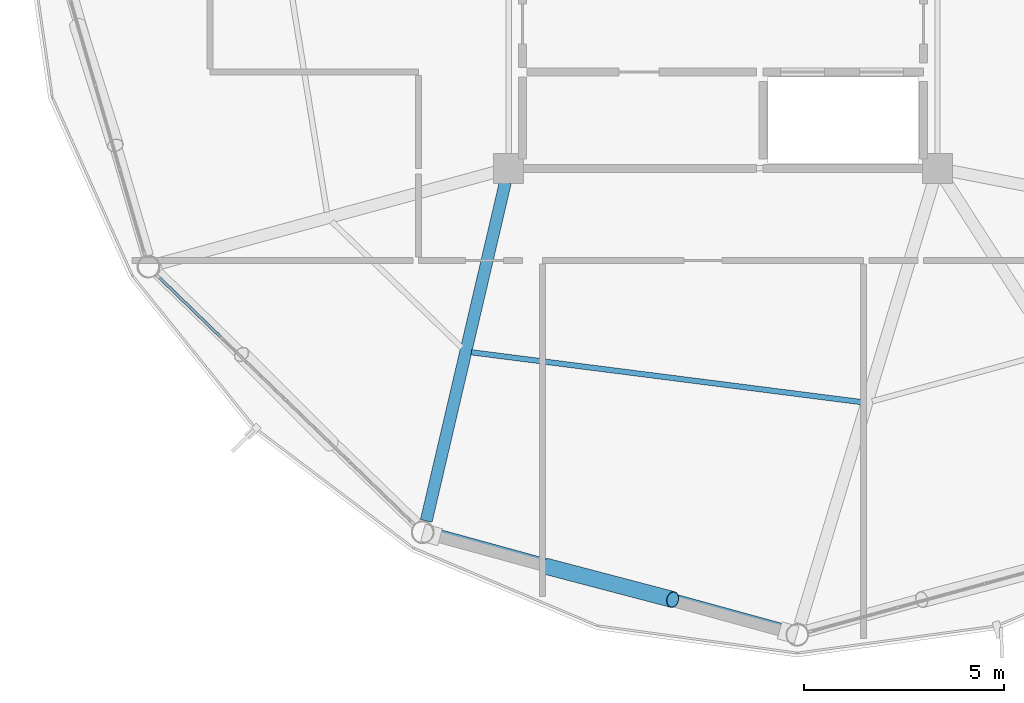
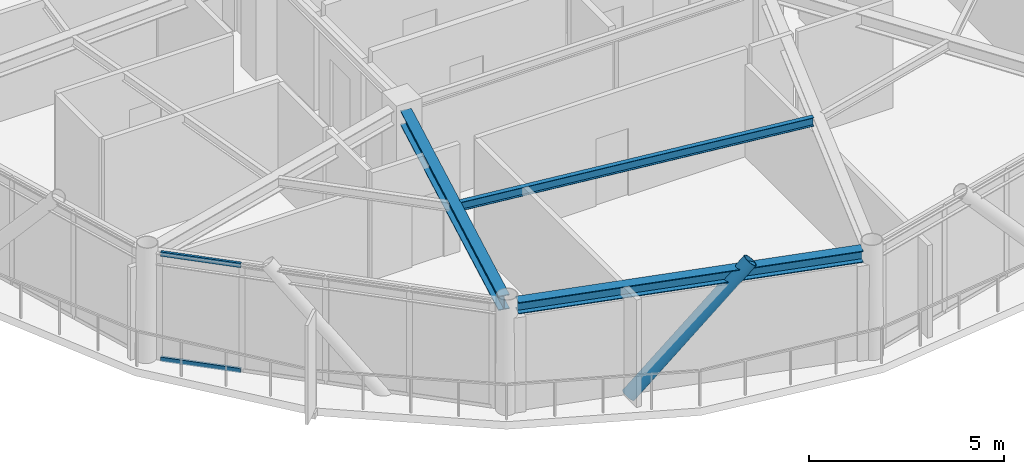
# One storey, part 3 of 27: 3 beams, 3 members, 1 element without a shape of its own.
"""IFC4 building model written with IfcOpenShell, lengths in metres."""

from ifc_helpers import new_model, si_unit, direction, frame, origin, origin_2d, place, context, subcontext, project, spatial, hollow_rectangle, hollow_circle, i_section, extrude, material, layer, layer_set, material_profile, profile_set, type_object, element, aggregate, save


model = new_model("IFC4")

# Units and contexts
model_context = context("Model", 3, precision=1e-05, world=origin(), true_north=direction((0.0, 1.0)))
body_context = subcontext(model_context, "Body", "Model", "MODEL_VIEW")
ifc_project = project(units=[si_unit("LENGTHUNIT", "METRE"), si_unit("AREAUNIT", "SQUARE_METRE"), si_unit("VOLUMEUNIT", "CUBIC_METRE"), si_unit("PLANEANGLEUNIT", "RADIAN"), si_unit("MASSUNIT", "GRAM", prefix="KILO")], contexts=[model_context])

# Site, building, storey
site_placement = place(None, origin())
site = spatial("IfcSite", under=ifc_project, at=site_placement, CompositionType="ELEMENT")
building_placement = place(site_placement, origin())
building = spatial("IfcBuilding", under=site, at=building_placement, Name="Varnakorn Sky Granary", CompositionType="ELEMENT")
storey_placement = place(building_placement, frame((0.0, 0.0, 229.199951171875)))
storey = spatial("IfcBuildingStorey", under=building, at=storey_placement, Name="L58", CompositionType="ELEMENT", Elevation=229.199951171875)

# Beams
ifc_material_1 = material(Name="Steel S355JR", Category="steel")
ifc_material_profile_1 = material_profile(ifc_material_1, i_section(OverallWidth=0.300048828125, OverallDepth=0.449951171875, WebThickness=0.013916015625, FlangeThickness=0.02587890625, at=origin_2d()), Name="HE 450 B")
ifc_profile_set_1 = profile_set([ifc_material_profile_1], Name="Steel S355JR")
beam_type_1 = type_object("IfcBeamType", Name="BM-RAD-Z5", PredefinedType="BEAM", material=ifc_profile_set_1)
beam_1_placement = place(storey_placement, frame((-2.430908203125, -6.94580078125, 3.135009765625), z_axis=(-0.227569418585, -0.973761859864, 0.0), x_axis=(0.973761859864, -0.227569418585, 0.0)))
element("IfcBeam", 1, at=beam_1_placement, inside=storey, type_object=beam_type_1, Name="Radial Floor Girder RG09 L58", PredefinedType="BEAM", context=body_context, shape_type="SweptSolid", body=[
    extrude(i_section(OverallWidth=0.300048828125, OverallDepth=0.449951171875, WebThickness=0.013916015625, FlangeThickness=0.02587890625, at=origin_2d()), origin(), (0.0, 0.0, 1.0), 8.67578125),
])
ifc_material_profile_2 = material_profile(ifc_material_1, i_section(OverallWidth=0.135009765625, OverallDepth=0.27001953125, WebThickness=0.006591796875, FlangeThickness=0.01025390625, at=origin_2d()), Name="IPE 270")
ifc_profile_set_2 = profile_set([ifc_material_profile_2], Name="Steel S355JR")
beam_type_2 = type_object("IfcBeamType", Name="BM-SEC-Z5", PredefinedType="BEAM", material=ifc_profile_set_2)
beam_2_placement = place(storey_placement, frame((-3.279296875, -11.1875, 3.22509765625), z_axis=(0.9919445888, -0.12667254142, 0.0), x_axis=(0.12667254142, 0.9919445888, 0.0)))
element("IfcBeam", 2, at=beam_2_placement, inside=storey, type_object=beam_type_2, Name="Secondary Floor Chord Beam MSB09 L58", PredefinedType="BEAM", context=body_context, shape_type="SweptSolid", body=[
    extrude(i_section(OverallWidth=0.135009765625, OverallDepth=0.27001953125, WebThickness=0.006591796875, FlangeThickness=0.01025390625, at=origin_2d()), origin(), (0.0, 0.0, 1.0), 9.806396484375),
])
ifc_material_profile_3 = material_profile(ifc_material_1, i_section(OverallWidth=0.300048828125, OverallDepth=0.360107421875, WebThickness=0.012451171875, FlangeThickness=0.0224609375, at=origin_2d()), Name="HE 360 B")
ifc_profile_set_3 = profile_set([ifc_material_profile_3], Name="Steel S355JR")
beam_type_3 = type_object("IfcBeamType", Name="BM-SPD-Z5", PredefinedType="SPANDREL", material=ifc_profile_set_3)
beam_3_placement = place(storey_placement, frame((-4.21044921875, -15.7216796875, 3.179931640625), z_axis=(0.964351705394, -0.264623861932, 0.0), x_axis=(0.264623861932, 0.964351705394, 0.0)))
element("IfcBeam", 3, at=beam_3_placement, inside=storey, type_object=beam_type_3, Name="Perimeter Spandrel Ring Beam RB09 L58", PredefinedType="SPANDREL", context=body_context, shape_type="SweptSolid", body=[
    extrude(i_section(OverallWidth=0.300048828125, OverallDepth=0.360107421875, WebThickness=0.012451171875, FlangeThickness=0.0224609375, at=origin_2d()), origin(), (0.0, 0.0, 1.0), 9.130859375),
])

# Curtain wall, members
ifc_material_2 = material(Name="Anodised Bronze Aluminium Alloy 6063-T6", Category="aluminium")
ifc_layer = layer(ifc_material_2, 0.169921875, Name="Anodised Bronze Aluminium Alloy 6063-T6")
ifc_layer_set = layer_set([ifc_layer], Name="Anodised Bronze Aluminium Alloy 6063-T6")
curtain_wall_type = type_object("IfcCurtainWallType", Name="CW-LAB-1", PredefinedType="USERDEFINED", material=ifc_layer_set)
curtain_wall_placement = place(storey_placement, origin())
curtain_wall = element("IfcCurtainWall", 4, at=curtain_wall_placement, inside=storey, type_object=curtain_wall_type, Name="Unitised Curtain Wall CW5 CW-L58-B08", ObjectType="CURTAIN WALL", PredefinedType="USERDEFINED")
ifc_material_profile_4 = material_profile(ifc_material_2, hollow_rectangle(XDim=0.070068359375, YDim=0.139892578125, WallThickness=0.00341796875, at=origin_2d()), Name="ALU TRAN 70x140")
ifc_profile_set_4 = profile_set([ifc_material_profile_4], Name="Anodised Bronze Aluminium Alloy 6063-T6")
member_type_1 = type_object("IfcMemberType", Name="CW-LAB-1-TRAN", PredefinedType="USERDEFINED", material=ifc_profile_set_4)
member_1_placement = place(storey_placement, frame((-9.5341796875, -10.805908203125, 0.03515625), z_axis=(-0.718388064337, 0.695642572747, 0.0), x_axis=(-0.695642572747, -0.718388064337, 0.0)))
member_1 = element("IfcMember", 5, at=member_1_placement, type_object=member_type_1, Name="CW5 transom 4.1", ObjectType="TRANSOM", PredefinedType="USERDEFINED", context=body_context, shape_type="SweptSolid", body=[
    extrude(hollow_rectangle(XDim=0.070068359375, YDim=0.139892578125, WallThickness=0.00341796875, at=origin_2d()), origin(), (0.0, 0.0, 1.0), 2.114501953125),
])
member_2_placement = place(storey_placement, frame((-9.5341796875, -10.805908203125, 3.324951171875), z_axis=(-0.718388064337, 0.695642572747, 0.0), x_axis=(-0.695642572747, -0.718388064337, 0.0)))
member_2 = element("IfcMember", 6, at=member_2_placement, type_object=member_type_1, Name="CW5 transom 4.2", ObjectType="TRANSOM", PredefinedType="USERDEFINED", context=body_context, shape_type="SweptSolid", body=[
    extrude(hollow_rectangle(XDim=0.070068359375, YDim=0.139892578125, WallThickness=0.00341796875, at=origin_2d()), origin(), (0.0, 0.0, 1.0), 2.114501953125),
])
aggregate(curtain_wall, [member_1, member_2])

# Member
ifc_material_3 = material(Name="Steel S460M", Category="steel")
ifc_material_profile_5 = material_profile(ifc_material_3, hollow_circle(Radius=0.203125, WallThickness=0.01611328125, at=origin_2d()), Name="CHS 406.4x16")
ifc_profile_set_5 = profile_set([ifc_material_profile_5], Name="Steel S460M")
member_type_2 = type_object("IfcMemberType", Name="MB-DIAG-T4", PredefinedType="BRACE", material=ifc_profile_set_5)
member_3_placement = place(storey_placement, frame((-1.383056640625, -16.53466796875, -0.1298828125), z_axis=(0.6443939472, -0.169196162846, 0.745740638084), x_axis=(0.253958160294, 0.967215205019, 0.0)))
element("IfcMember", 7, at=member_3_placement, inside=storey, type_object=member_type_2, Name="Perimeter CHS Diagrid Brace DG09 L58", PredefinedType="BRACE", context=body_context, shape_type="SweptSolid", body=[
    extrude(hollow_circle(Radius=0.203125, WallThickness=0.01611328125, at=origin_2d()), origin(), (0.0, 0.0, 1.0), 4.85400390625),
])

save(model, "model.ifc")
